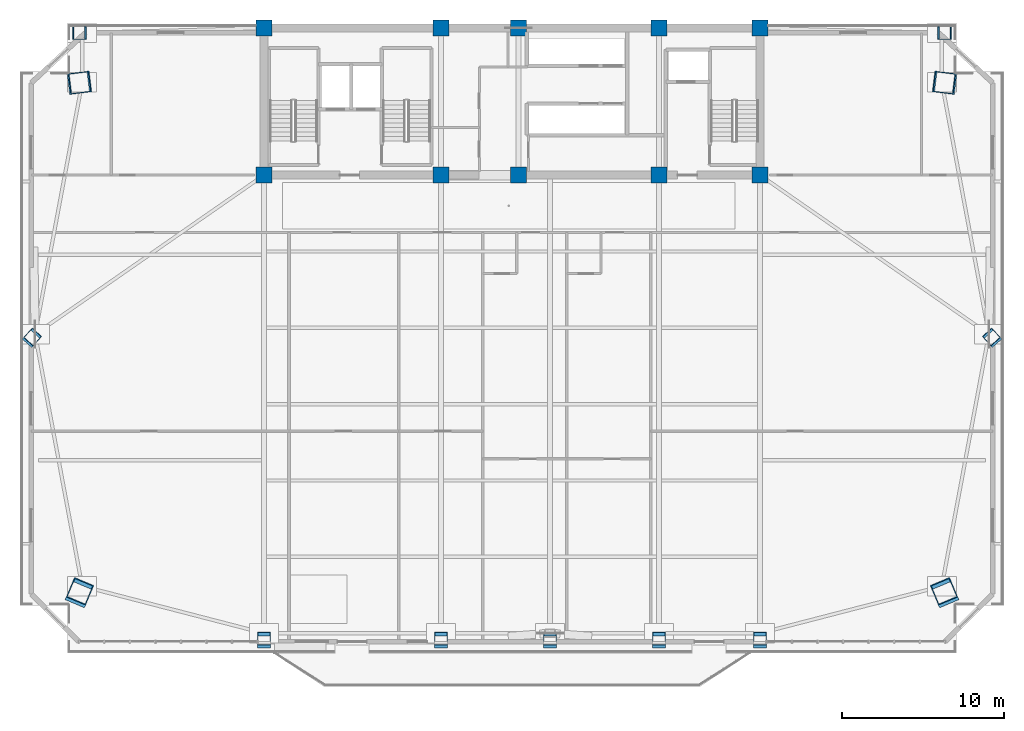
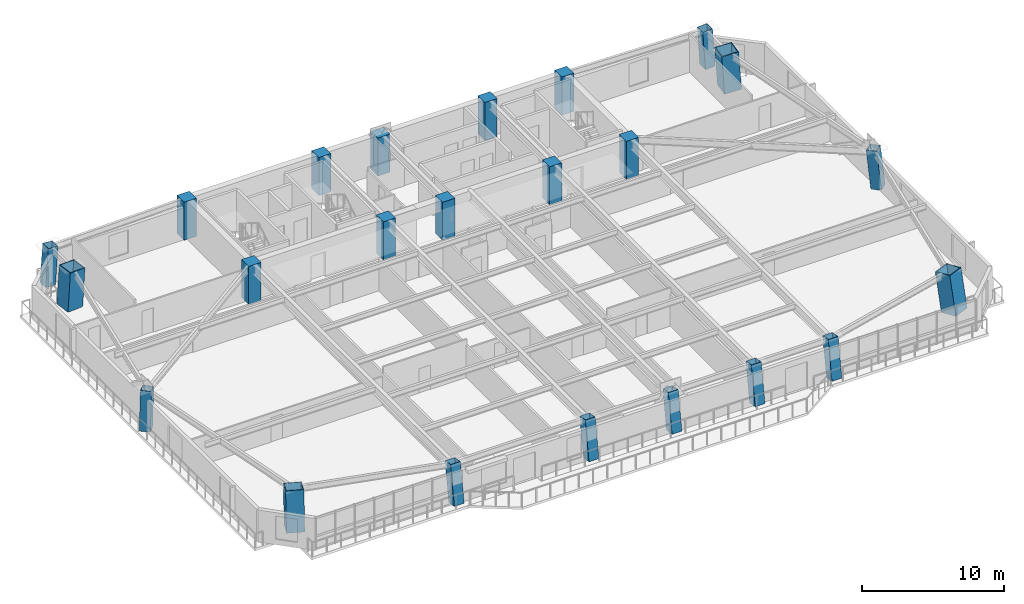
# One storey, part 1 of 15: 23 columns.
"""IFC4 building model written with IfcOpenShell, lengths in metres."""

import ifcopenshell
import ifcopenshell.guid

model = None  # the IFC model being written
_history = None  # IfcOwnerHistory: only IFC2X3 demands one
_inside = {}  # id of a spatial element -> (the spatial element, [elements in it])
_under = {}  # id of a project, library or spatial element -> (it, [spatial elements below it])
_declared = {}  # id of a project -> (the project, [libraries it declares])
_typed = {}  # id of a type object -> (the type object, [elements of that type])
_made_of = {}  # id of a material, layer set ... -> (it, [elements and type objects made of it])


def new_model(schema):
    """Start an empty IFC model of exactly this schema.

    Asked for "IFC4X3", IfcOpenShell would pick the latest addendum, in which some entities
    have other attributes; the version numbers below select the first issue.
    IFC2X3 requires an IfcOwnerHistory on every rooted entity: one is made here for all.
    """
    global model, _history
    if schema == "IFC4X3":
        model = ifcopenshell.file(schema_version=(4, 3, 0, 0))
    else:
        model = ifcopenshell.file(schema=schema)
    _inside.clear()
    _under.clear()
    _declared.clear()
    _typed.clear()
    _made_of.clear()
    _history = None
    if model.schema == "IFC2X3":
        org = make("IfcOrganization", Name="unknown")
        user = make(
            "IfcPersonAndOrganization",
            ThePerson=make("IfcPerson", FamilyName="unknown"),
            TheOrganization=org,
        )
        app = make(
            "IfcApplication",
            ApplicationDeveloper=org,
            Version="unknown",
            ApplicationFullName="unknown",
            ApplicationIdentifier="unknown",
        )
        _history = make(
            "IfcOwnerHistory",
            OwningUser=user,
            OwningApplication=app,
            ChangeAction="ADDED",
            CreationDate=0,
        )
    return model


def make(cls, **values):
    """One entity of the class cls with the attributes given. An attribute that is None is left unset."""
    return model.create_entity(
        cls, **{name: value for name, value in values.items() if value is not None}
    )


def rooted(cls, **values):
    """An entity with a GlobalId (a new one), such as an element, a storey or a relation."""
    return make(cls, GlobalId=ifcopenshell.guid.new(), OwnerHistory=_history, **values)


def si_unit(unit_type, name, prefix=None):
    """IfcSIUnit, for example si_unit("LENGTHUNIT", "METRE", prefix="MILLI")."""
    return make("IfcSIUnit", UnitType=unit_type, Prefix=prefix, Name=name)


def assignment(units):
    """IfcUnitAssignment: the units of a project."""
    return None if units is None else make("IfcUnitAssignment", Units=units)


def point(xyz):
    """IfcCartesianPoint."""
    return None if xyz is None else make("IfcCartesianPoint", Coordinates=xyz)


def direction(xyz):
    """IfcDirection."""
    return None if xyz is None else make("IfcDirection", DirectionRatios=xyz)


def frame(location, z_axis=None, x_axis=None):
    """IfcAxis2Placement3D, a coordinate frame: its origin and axes. An axis left out is left unset."""
    return make(
        "IfcAxis2Placement3D",
        Location=point(location),
        Axis=direction(z_axis),
        RefDirection=direction(x_axis),
    )


def frame_2d(location, x_axis=None):
    """IfcAxis2Placement2D, a coordinate frame in the plane: its origin and x axis."""
    return make(
        "IfcAxis2Placement2D", Location=point(location), RefDirection=direction(x_axis)
    )


def origin():
    """The frame at (0, 0, 0) with its axes left unset."""
    return frame((0.0, 0.0, 0.0))


def origin_2d():
    """The frame at (0, 0) in the plane with its x axis left unset."""
    return frame_2d((0.0, 0.0))


def place(relative_to, where):
    """IfcLocalPlacement: puts the frame where relative to a parent placement (None: the world)."""
    return make(
        "IfcLocalPlacement", PlacementRelTo=relative_to, RelativePlacement=where
    )


def context(
    kind, dimensions, precision=None, world=None, true_north=None, identifier=None
):
    """IfcGeometricRepresentationContext, for example the 3D "Model" context."""
    return make(
        "IfcGeometricRepresentationContext",
        ContextIdentifier=identifier,
        ContextType=kind,
        CoordinateSpaceDimension=dimensions,
        Precision=precision,
        WorldCoordinateSystem=world,
        TrueNorth=true_north,
    )


def subcontext(parent, identifier, kind, view, scale=None):
    """IfcGeometricRepresentationSubContext, for example "Body" below "Model"."""
    return make(
        "IfcGeometricRepresentationSubContext",
        ContextIdentifier=identifier,
        ContextType=kind,
        ParentContext=parent,
        TargetScale=scale,
        TargetView=view,
    )


def project(units=None, contexts=None):
    """IfcProject with its units and contexts."""
    return rooted(
        "IfcProject",
        Name="project",
        RepresentationContexts=contexts,
        UnitsInContext=assignment(units),
    )


def spatial(cls, under=None, at=None, **own):
    """A site, building, storey or space (cls), placed at a placement, below another one or the project."""
    s = rooted(cls, ObjectPlacement=at, **own)
    if under is not None:
        _under.setdefault(under.id(), (under, []))[1].append(s)
    return s


def profile(cls, at=None, kind="AREA", **sizes):
    """A parametric profile (cls). Its sizes go by their IFC names, for example OverallWidth=200.0."""
    return make(cls, ProfileType=kind, Position=at, **sizes)


def rectangle(**sizes):
    """IfcRectangleProfileDef."""
    return profile("IfcRectangleProfileDef", **sizes)


def hollow_rectangle(**sizes):
    """IfcRectangleHollowProfileDef."""
    return profile("IfcRectangleHollowProfileDef", **sizes)


def extrude(swept, where, along, depth):
    """IfcExtrudedAreaSolid: the profile swept, set in the frame where, extruded along a direction by depth."""
    return make(
        "IfcExtrudedAreaSolid",
        SweptArea=swept,
        Position=where,
        ExtrudedDirection=direction(along),
        Depth=depth,
    )


def shape(context_of_items, identifier, shape_type, items):
    """IfcShapeRepresentation: the items that make up one representation, for example the "Body"."""
    return make(
        "IfcShapeRepresentation",
        ContextOfItems=context_of_items,
        RepresentationIdentifier=identifier,
        RepresentationType=shape_type,
        Items=items,
    )


def source(mapping_origin, context_of_items, identifier, shape_type, items):
    """IfcRepresentationMap: a shape defined once, which mapped items show again and again."""
    return make(
        "IfcRepresentationMap",
        MappingOrigin=mapping_origin,
        MappedRepresentation=shape(context_of_items, identifier, shape_type, items),
    )


def transform(
    local_origin,
    x_axis=None,
    y_axis=None,
    z_axis=None,
    scale=None,
    scale2=None,
    scale3=None,
    uniform=True,
):
    """IfcCartesianTransformationOperator3D, or its non-uniform kind. x_axis, y_axis, z_axis: its Axis1, 2, 3."""
    if uniform:
        return make(
            "IfcCartesianTransformationOperator3D",
            Axis1=direction(x_axis),
            Axis2=direction(y_axis),
            LocalOrigin=point(local_origin),
            Scale=scale,
            Axis3=direction(z_axis),
        )
    return make(
        "IfcCartesianTransformationOperator3DnonUniform",
        Axis1=direction(x_axis),
        Axis2=direction(y_axis),
        LocalOrigin=point(local_origin),
        Scale=scale,
        Axis3=direction(z_axis),
        Scale2=scale2,
        Scale3=scale3,
    )


def mapped(mapping_source, mapping_target):
    """IfcMappedItem: shows the shape of a source again, moved by a transform."""
    return make(
        "IfcMappedItem", MappingSource=mapping_source, MappingTarget=mapping_target
    )


def material(Name=None, Category=None):
    """IfcMaterial."""
    return make("IfcMaterial", Name=Name, Category=Category)


def material_profile(
    of_material, cross_section, Name=None, Category=None, Priority=None
):
    """IfcMaterialProfile: a cross section and its material."""
    return make(
        "IfcMaterialProfile",
        Name=Name,
        Material=of_material,
        Profile=cross_section,
        Priority=Priority,
        Category=Category,
    )


def profile_set(profiles, Name=None, composite=None):
    """IfcMaterialProfileSet."""
    return make(
        "IfcMaterialProfileSet",
        Name=Name,
        MaterialProfiles=profiles,
        CompositeProfile=composite,
    )


def made_of(thing, what):
    """Note that an element or type object is made of a material, layer set ...; save() writes the relation."""
    if what is not None:
        _made_of.setdefault(what.id(), (what, []))[1].append(thing)
    return thing


def type_object(cls, material=None, **own):
    """A type object (cls), such as IfcWallType, which elements share."""
    return made_of(rooted(cls, **own), material)


def element(
    cls,
    number,
    at=None,
    inside=None,
    cuts=None,
    type_object=None,
    material=None,
    context=None,
    identifier="Body",
    shape_type=None,
    held_by="IfcProductDefinitionShape",
    body=None,
    shapes=None,
    **own,
):
    """One element of the class cls, such as IfcWall. Its Tag is "e" and its number.

    at: its placement. inside: the storey or other place that contains it. cuts: it is an
    opening in that element (IfcRelVoidsElement). A single representation is given by context,
    identifier, shape_type and body (its items); several are given by shapes. held_by: the class
    of the entity that holds the representations. save() writes the other relations.
    """
    e = rooted(cls, Tag="e%d" % number, ObjectPlacement=at, **own)
    if body is not None:
        shapes = [shape(context, identifier, shape_type, body)]
    if shapes is not None:
        e.Representation = make(held_by, Representations=shapes)
    if inside is not None:
        _inside.setdefault(inside.id(), (inside, []))[1].append(e)
    if cuts is not None:
        rooted(
            "IfcRelVoidsElement", RelatingBuildingElement=cuts, RelatedOpeningElement=e
        )
    if type_object is not None:
        _typed.setdefault(type_object.id(), (type_object, []))[1].append(e)
    return made_of(e, material)


def aggregate(whole, parts):
    """IfcRelAggregates: a whole, such as a stair, and the parts it consists of."""
    return rooted("IfcRelAggregates", RelatingObject=whole, RelatedObjects=parts)


def save(model, path):
    """Write the relations noted so far, then the file.

    IfcRelAggregates (storeys below a building ...), IfcRelContainedInSpatialStructure (elements
    in a storey), IfcRelDefinesByType, IfcRelAssociatesMaterial and IfcRelDeclares: one each for
    every whole, place, type object, material and project.
    """
    for whole, parts in _under.values():
        aggregate(whole, parts)
    for where, things in _inside.values():
        rooted(
            "IfcRelContainedInSpatialStructure",
            RelatedElements=things,
            RelatingStructure=where,
        )
    for kind, things in _typed.values():
        rooted("IfcRelDefinesByType", RelatedObjects=things, RelatingType=kind)
    for what, things in _made_of.values():
        rooted("IfcRelAssociatesMaterial", RelatedObjects=things, RelatingMaterial=what)
    for by, libraries in _declared.values():
        rooted("IfcRelDeclares", RelatingContext=by, RelatedDefinitions=libraries)
    model.write(path)


model = new_model("IFC4")

# Units and contexts
model_context = context("Model", 3, precision=1e-05, world=origin(), true_north=direction((0.0, 1.0)))
body_context = subcontext(model_context, "Body", "Model", "MODEL_VIEW")
ifc_project = project(units=[si_unit("LENGTHUNIT", "METRE"), si_unit("AREAUNIT", "SQUARE_METRE"), si_unit("VOLUMEUNIT", "CUBIC_METRE"), si_unit("PLANEANGLEUNIT", "RADIAN"), si_unit("MASSUNIT", "GRAM", prefix="KILO")], contexts=[model_context])

# Site, building, storey
site_placement = place(None, origin())
site = spatial("IfcSite", under=ifc_project, at=site_placement, CompositionType="ELEMENT")
building_placement = place(site_placement, origin())
building = spatial("IfcBuilding", under=site, at=building_placement, Name="Giltprow Tower", CompositionType="ELEMENT")
storey_placement = place(building_placement, frame((0.0, 0.0, 156.199951171875)))
storey = spatial("IfcBuildingStorey", under=building, at=storey_placement, Name="L38", CompositionType="ELEMENT", Elevation=156.199951171875)

# Columns
ifc_material_1 = material(Name="Concrete C50", Category="concrete")
ifc_material_profile_1 = material_profile(ifc_material_1, rectangle(XDim=1.0, YDim=1.0, at=origin_2d()), Name="RC 1000x1000")
ifc_profile_set_1 = profile_set([ifc_material_profile_1], Name="Concrete C50")
column_type_1 = type_object("IfcColumnType", Name="PIL-RC-1000-C50", PredefinedType="PILASTER", material=ifc_profile_set_1)
shared_shape_1 = source(origin(), body_context, "Body", "SweptSolid", [
    extrude(rectangle(XDim=1.0, YDim=1.0, at=origin_2d()), origin(), (0.0, 0.0, 1.0), 3.27001953125),
])
for number, where, z_axis, x_axis, name in (
    (1, (19.85009765625, 37.449951171875, 0.0), (0.0, 0.0, 1.0), (1.0, 0.0, 0.0), "L38 Core Boundary Pilaster 1-1"),
    (2, (19.85009765625, 46.550048828125, 0.0), (0.0, 0.0, 1.0), (1.0, 0.0, 0.0), "L38 Core Boundary Pilaster 1-2"),
    (3, (30.800048828125, 37.449951171875, 0.0), (0.0, 0.0, 1.0), (1.0, 0.0, 0.0), "L38 Core Boundary Pilaster 2-1"),
    (4, (30.800048828125, 46.550048828125, 0.0), (0.0, 0.0, 1.0), (1.0, 0.0, 0.0), "L38 Core Boundary Pilaster 2-2"),
    (5, (35.60009765625, 37.449951171875, 0.0), (0.0, 0.0, 1.0), (1.0, 0.0, 0.0), "L38 Core Boundary Pilaster 3-1"),
    (6, (35.60009765625, 46.550048828125, 0.0), (0.0, 0.0, 1.0), (1.0, 0.0, 0.0), "L38 Core Boundary Pilaster 3-2"),
    (7, (44.300048828125, 37.449951171875, 0.0), (0.0, 0.0, 1.0), (1.0, 0.0, 0.0), "L38 Core Boundary Pilaster 4-1"),
    (8, (44.300048828125, 46.550048828125, 0.0), (0.0, 0.0, 1.0), (1.0, 0.0, 0.0), "L38 Core Boundary Pilaster 4-2"),
    (9, (50.550048828125, 37.449951171875, 0.0), (0.0, 0.0, 1.0), (1.0, 0.0, 0.0), "L38 Core Boundary Pilaster 5-1"),
    (10, (50.550048828125, 46.550048828125, 0.0), (0.0, 0.0, 1.0), (1.0, 0.0, 0.0), "L38 Core Boundary Pilaster 5-2"),
):
    element("IfcColumn", number, at=place(storey_placement, frame(where, z_axis=z_axis, x_axis=x_axis)), inside=storey, type_object=column_type_1, Name=name, PredefinedType="PILASTER", context=body_context, shape_type="MappedRepresentation", body=[
        mapped(shared_shape_1, transform((0.0, 0.0, 0.0), x_axis=(1.0, 0.0, 0.0), y_axis=(0.0, 1.0, 0.0), z_axis=(0.0, 0.0, 1.0), scale=1.0)),
    ])
ifc_material_2 = material(Name="Structural steel Q420GJC", Category="steel")
ifc_material_profile_2 = material_profile(ifc_material_2, hollow_rectangle(XDim=1.300048828125, YDim=1.300048828125, WallThickness=0.06005859375, at=origin_2d()), Name="BOX 1300x1300x60")
ifc_profile_set_2 = profile_set([ifc_material_profile_2], Name="Structural steel Q420GJC")
column_type_2 = type_object("IfcColumnType", Name="COL-BOX-1300x1300x60", PredefinedType="COLUMN", material=ifc_profile_set_2)
shared_shape_2 = source(origin(), body_context, "Body", "SweptSolid", [
    extrude(hollow_rectangle(XDim=1.300048828125, YDim=1.300048828125, WallThickness=0.06005859375, at=origin_2d()), origin(), (0.0, 0.0, 1.0), 3.314697265625),
])
for number, where, z_axis, x_axis, name in (
    (11, (8.387939453125, 11.510986328125, 0.0), (0.063049281267, 0.150846878546, 0.986544478148), (-0.922649834668, 0.385638798084, 0.0), "L38 Mega-Column MC_SW"),
    (12, (62.011962890625, 11.510986328125, 0.0), (-0.063049281267, 0.150846878546, 0.986544478148), (-0.922649834668, -0.385638798084, 0.0), "L38 Mega-Column MC_SE"),
):
    element("IfcColumn", number, at=place(storey_placement, frame(where, z_axis=z_axis, x_axis=x_axis)), inside=storey, type_object=column_type_2, Name=name, PredefinedType="COLUMN", context=body_context, shape_type="MappedRepresentation", body=[
        mapped(shared_shape_2, transform((0.0, 0.0, 0.0), x_axis=(1.0, 0.0, 0.0), y_axis=(0.0, 1.0, 0.0), z_axis=(0.0, 0.0, 1.0), scale=1.0)),
    ])
shared_shape_3 = source(origin(), body_context, "Body", "SweptSolid", [
    extrude(hollow_rectangle(XDim=1.300048828125, YDim=1.300048828125, WallThickness=0.06005859375, at=origin_2d()), origin(), (0.0, 0.0, 1.0), 3.27685546875),
])
for number, where, z_axis, x_axis, name in (
    (13, (8.387939453125, 43.160888671875, 0.0), (0.063777069764, 0.007972133721, 0.997932327594), (-0.124034734589, 0.992277876714, 0.0), "L38 Mega-Column MC_NW"),
    (14, (62.011962890625, 43.160888671875, 0.0), (-0.063777069764, 0.007972133721, 0.997932327594), (-0.124034734589, -0.992277876714, 0.0), "L38 Mega-Column MC_NE"),
):
    element("IfcColumn", number, at=place(storey_placement, frame(where, z_axis=z_axis, x_axis=x_axis)), inside=storey, type_object=column_type_2, Name=name, PredefinedType="COLUMN", context=body_context, shape_type="MappedRepresentation", body=[
        mapped(shared_shape_3, transform((0.0, 0.0, 0.0), x_axis=(1.0, 0.0, 0.0), y_axis=(0.0, 1.0, 0.0), z_axis=(0.0, 0.0, 1.0), scale=1.0)),
    ])
ifc_material_profile_3 = material_profile(ifc_material_2, hollow_rectangle(XDim=0.800048828125, YDim=0.800048828125, WallThickness=0.035888671875, at=origin_2d()), Name="BOX 800x800x36")
ifc_profile_set_3 = profile_set([ifc_material_profile_3], Name="Structural steel Q420GJC")
column_type_3 = type_object("IfcColumnType", Name="COL-BOX-800x800x36", PredefinedType="COLUMN", material=ifc_profile_set_3)
shared_shape_4 = source(origin(), body_context, "Body", "SweptSolid", [
    extrude(hollow_rectangle(XDim=0.800048828125, YDim=0.800048828125, WallThickness=0.035888671875, at=origin_2d()), origin(), (0.0, 0.0, 1.0), 3.31201171875),
])
for number, where, z_axis, x_axis, name in (
    (15, (19.85009765625, 8.572021484375, 0.0), (0.0, 0.158778181343, 0.987314280829), (-1.0, 0.0, 0.0), "L38 Perimeter Column S1"),
    (16, (30.800048828125, 8.572021484375, 0.0), (0.0, 0.158778181343, 0.987314280829), (-1.0, 0.0, 0.0), "L38 Perimeter Column S2"),
    (17, (37.550048828125, 8.572021484375, 0.0), (0.0, 0.158778181343, 0.987314280829), (-1.0, 0.0, 0.0), "L38 Perimeter Column S_MID"),
    (18, (44.300048828125, 8.572021484375, 0.0), (0.0, 0.158778181343, 0.987314280829), (-1.0, 0.0, 0.0), "L38 Perimeter Column S3"),
    (19, (50.550048828125, 8.572021484375, 0.0), (0.0, 0.158778181343, 0.987314280829), (-1.0, 0.0, 0.0), "L38 Perimeter Column S4"),
):
    element("IfcColumn", number, at=place(storey_placement, frame(where, z_axis=z_axis, x_axis=x_axis)), inside=storey, type_object=column_type_3, Name=name, PredefinedType="COLUMN", context=body_context, shape_type="MappedRepresentation", body=[
        mapped(shared_shape_4, transform((0.0, 0.0, 0.0), x_axis=(1.0, 0.0, 0.0), y_axis=(0.0, 1.0, 0.0), z_axis=(0.0, 0.0, 1.0), scale=1.0)),
    ])
shared_shape_5 = source(origin(), body_context, "Body", "SweptSolid", [
    extrude(hollow_rectangle(XDim=0.800048828125, YDim=0.800048828125, WallThickness=0.035888671875, at=origin_2d()), origin(), (0.0, 0.0, 1.0), 3.2890625),
])
for number, where, z_axis, x_axis, name in (
    (20, (5.448974609375, 27.3359375, 0.0), (0.071482791735, 0.080019158349, 0.994226908096), (-0.745765790273, 0.666208215244, 0.0), "L38 Perimeter Column W_MID"),
    (21, (64.950927734375, 27.3359375, 0.0), (-0.071408941168, 0.080019582723, 0.994232180882), (-0.74610956251, -0.665823190292, 0.0), "L38 Perimeter Column E_MID"),
):
    element("IfcColumn", number, at=place(storey_placement, frame(where, z_axis=z_axis, x_axis=x_axis)), inside=storey, type_object=column_type_3, Name=name, PredefinedType="COLUMN", context=body_context, shape_type="MappedRepresentation", body=[
        mapped(shared_shape_5, transform((0.0, 0.0, 0.0), x_axis=(1.0, 0.0, 0.0), y_axis=(0.0, 1.0, 0.0), z_axis=(0.0, 0.0, 1.0), scale=1.0)),
    ])
shared_shape_6 = source(origin(), body_context, "Body", "SweptSolid", [
    extrude(hollow_rectangle(XDim=0.800048828125, YDim=0.800048828125, WallThickness=0.035888671875, at=origin_2d()), origin(), (0.0, 0.0, 1.0), 3.276611328125),
])
for number, where, z_axis, x_axis, name in (
    (22, (8.387939453125, 46.25, 0.0), (0.063779096534, 0.0, 0.997964040858), (0.0, 1.0, 0.0), "L38 Perimeter Column N_W"),
    (23, (62.011962890625, 46.25, 0.0), (-0.063779096534, 0.0, 0.997964040858), (0.0, -1.0, 0.0), "L38 Perimeter Column N_E"),
):
    element("IfcColumn", number, at=place(storey_placement, frame(where, z_axis=z_axis, x_axis=x_axis)), inside=storey, type_object=column_type_3, Name=name, PredefinedType="COLUMN", context=body_context, shape_type="MappedRepresentation", body=[
        mapped(shared_shape_6, transform((0.0, 0.0, 0.0), x_axis=(1.0, 0.0, 0.0), y_axis=(0.0, 1.0, 0.0), z_axis=(0.0, 0.0, 1.0), scale=1.0)),
    ])

save(model, "model.ifc")
